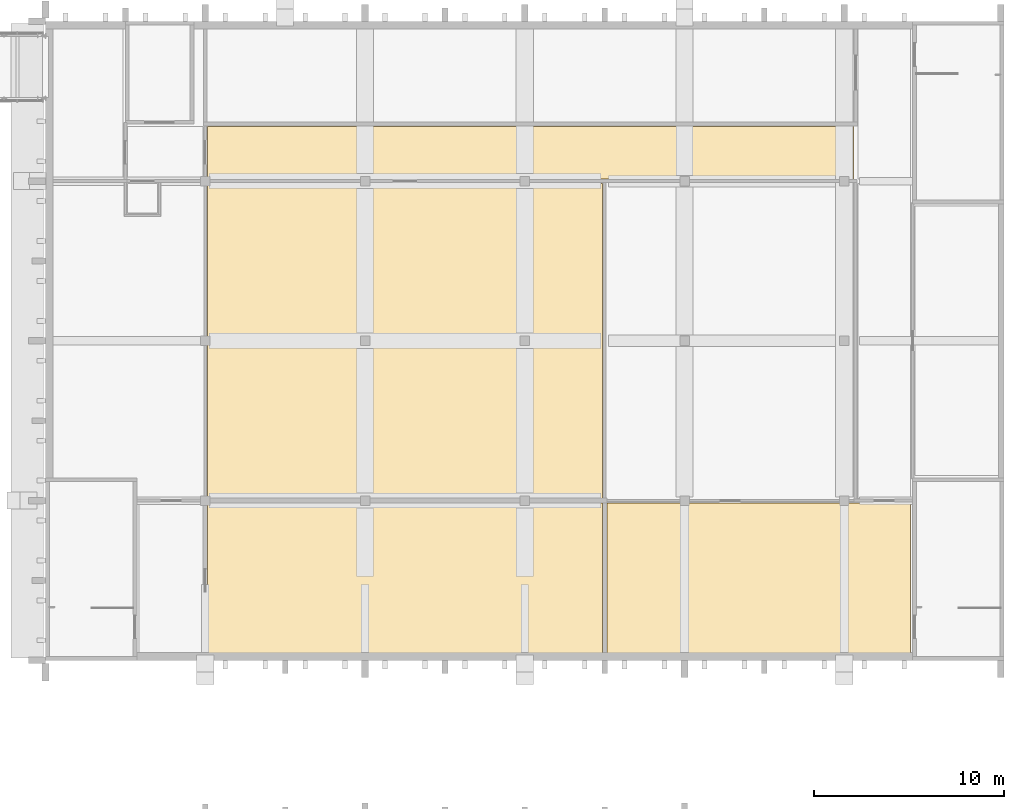
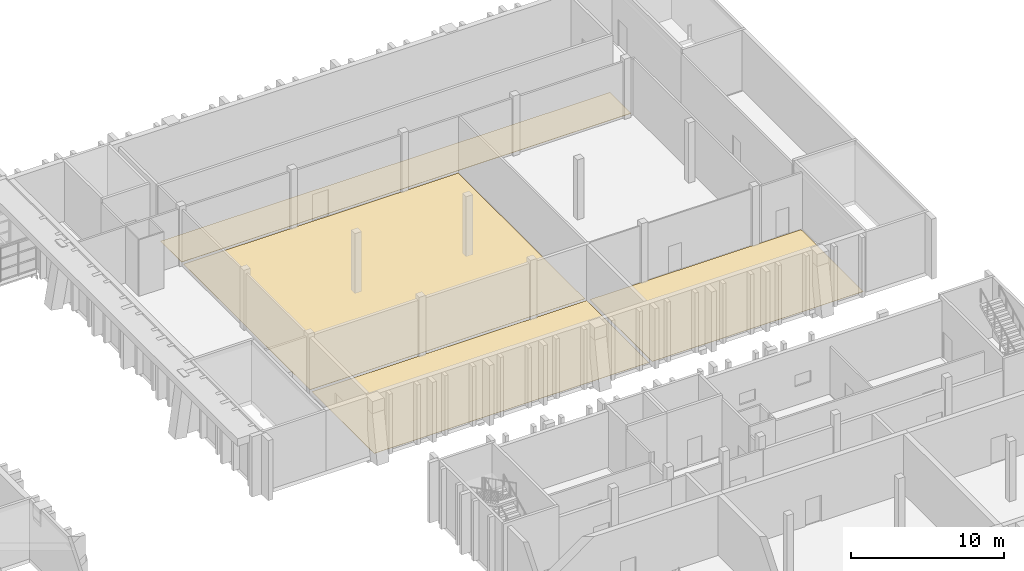
# One storey, part 85 of 86: 4 coverings.
"""IFC4 building model written with IfcOpenShell, lengths in metres."""

from ifc_helpers import new_model, si_unit, direction, frame, origin, place, context, subcontext, project, spatial, polyline, outline, extrude, material, layer, layer_set, type_object, element, save


model = new_model("IFC4")

# Units and contexts
model_context = context("Model", 3, precision=1e-05, world=origin(), true_north=direction((0.0, 1.0)))
body_context = subcontext(model_context, "Body", "Model", "MODEL_VIEW")
ifc_project = project(units=[si_unit("LENGTHUNIT", "METRE"), si_unit("AREAUNIT", "SQUARE_METRE"), si_unit("VOLUMEUNIT", "CUBIC_METRE"), si_unit("PLANEANGLEUNIT", "RADIAN"), si_unit("MASSUNIT", "GRAM", prefix="KILO")], contexts=[model_context])

# Site, building, storey
site_placement = place(None, origin())
site = spatial("IfcSite", under=ifc_project, at=site_placement, CompositionType="ELEMENT")
building_placement = place(site_placement, origin())
building = spatial("IfcBuilding", under=site, at=building_placement, Name="Kiln Court Media Centre", CompositionType="ELEMENT")
storey_placement = place(building_placement, frame((0.0, 0.0, 10.199951171875)))
storey = spatial("IfcBuildingStorey", under=building, at=storey_placement, Name="L02", CompositionType="ELEMENT", Elevation=10.199951171875)

# Coverings
ifc_material_1 = material(Name="Carpet tile")
ifc_layer_1 = layer(ifc_material_1, 0.014892578125)
ifc_layer_set_1 = layer_set([ifc_layer_1], Name="Carpet tile floor finish 15")
covering_type_1 = type_object("IfcCoveringType", Name="Carpet tile floor finish 15", PredefinedType="FLOORING", material=ifc_layer_set_1)
covering_1_placement = place(storey_placement, origin())
element("IfcCovering", 1, at=covering_1_placement, inside=storey, type_object=covering_type_1, Name="Master Control floor finish", PredefinedType="FLOORING", context=body_context, shape_type="SweptSolid", body=[
    extrude(outline(polyline([(126.1201171875, 33.719970703125), (146.8798828125, 33.719970703125), (146.8798828125, 41.8798828125), (126.1201171875, 41.8798828125), (126.1201171875, 33.719970703125)])), origin(), (0.0, 0.0, 1.0), 0.01513671875),
])
covering_2_placement = place(storey_placement, origin())
element("IfcCovering", 2, at=covering_2_placement, inside=storey, type_object=covering_type_1, Name="Production Planning floor finish", PredefinedType="FLOORING", context=body_context, shape_type="SweptSolid", body=[
    extrude(outline(polyline([(147.1201171875, 33.719970703125), (163.080078125, 33.719970703125), (163.080078125, 41.8798828125), (147.1201171875, 41.8798828125), (147.1201171875, 33.719970703125)])), origin(), (0.0, 0.0, 1.0), 0.01513671875),
])
covering_3_placement = place(storey_placement, origin())
element("IfcCovering", 3, at=covering_3_placement, inside=storey, type_object=covering_type_1, Name="Edit and Review Suites floor finish", PredefinedType="FLOORING", context=body_context, shape_type="SweptSolid", body=[
    extrude(outline(polyline([(126.1201171875, 42.1201171875), (146.8798828125, 42.1201171875), (146.8798828125, 58.679931640625), (126.1201171875, 58.679931640625), (126.1201171875, 42.1201171875)])), origin(), (0.0, 0.0, 1.0), 0.01513671875),
])
ifc_material_2 = material(Name="Terrazzo")
ifc_layer_2 = layer(ifc_material_2, 0.02490234375)
ifc_layer_set_2 = layer_set([ifc_layer_2], Name="Polished terrazzo floor finish 25")
covering_type_2 = type_object("IfcCoveringType", Name="Polished terrazzo floor finish 25", PredefinedType="FLOORING", material=ifc_layer_set_2)
covering_4_placement = place(storey_placement, origin())
element("IfcCovering", 4, at=covering_4_placement, inside=storey, type_object=covering_type_2, Name="Plant Corridor floor finish", PredefinedType="FLOORING", context=body_context, shape_type="SweptSolid", body=[
    extrude(outline(polyline([(126.1201171875, 58.919921875), (160.080078125, 58.919921875), (160.080078125, 61.679931640625), (126.1201171875, 61.679931640625), (126.1201171875, 58.919921875)])), origin(), (0.0, 0.0, 1.0), 0.025146484375),
])

save(model, "model.ifc")
